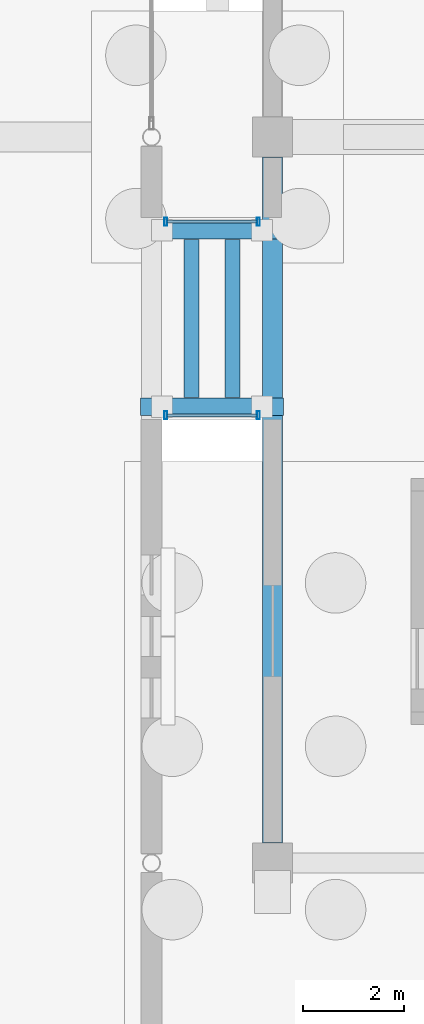
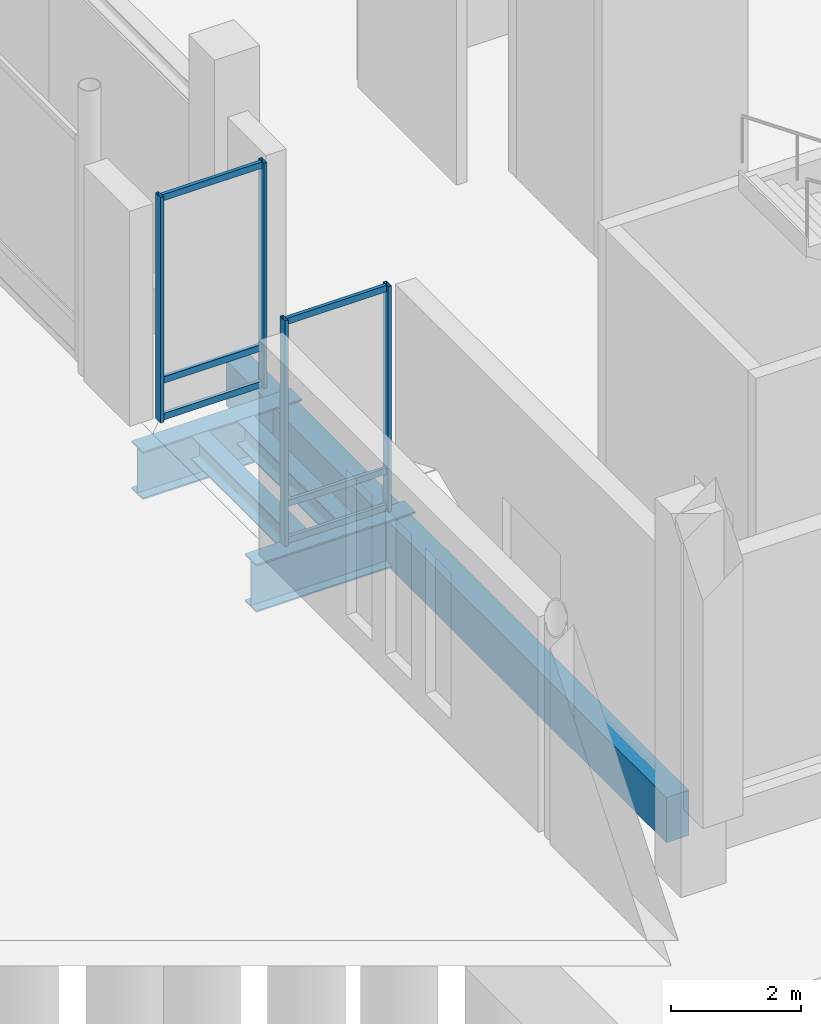
# One storey, part 67 of 192: 10 members, 5 beams, 2 elements without a shape of their own.
"""IFC4 building model written with IfcOpenShell, lengths in metres."""

from ifc_helpers import new_model, si_unit, direction, frame, origin, origin_2d, place, context, subcontext, project, spatial, rectangle, hollow_rectangle, i_section, extrude, material, material_profile, profile_set, type_object, element, aggregate, save


model = new_model("IFC4")

# Units and contexts
model_context = context("Model", 3, precision=1e-05, world=origin(), true_north=direction((0.0, 1.0)))
body_context = subcontext(model_context, "Body", "Model", "MODEL_VIEW")
ifc_project = project(units=[si_unit("LENGTHUNIT", "METRE"), si_unit("AREAUNIT", "SQUARE_METRE"), si_unit("VOLUMEUNIT", "CUBIC_METRE"), si_unit("PLANEANGLEUNIT", "RADIAN"), si_unit("MASSUNIT", "GRAM", prefix="KILO")], contexts=[model_context])

# Site, building, storey
site_placement = place(None, origin())
site = spatial("IfcSite", under=ifc_project, at=site_placement, CompositionType="ELEMENT")
building_placement = place(site_placement, origin())
building = spatial("IfcBuilding", under=site, at=building_placement, Name="Cendralis Lancet Convention Centre", CompositionType="ELEMENT")
storey_placement = place(building_placement, origin())
storey = spatial("IfcBuildingStorey", under=building, at=storey_placement, Name="L00", CompositionType="ELEMENT", Elevation=0.0)

# Curtain wall, members
ifc_material_1 = material(Name="Anodised bronze architectural aluminium", Category="aluminium")
curtain_wall_type = type_object("IfcCurtainWallType", Name="ARC-CW-BR01", PredefinedType="USERDEFINED", material=ifc_material_1)
curtain_wall_1_placement = place(storey_placement, origin())
curtain_wall_1 = element("IfcCurtainWall", 1, at=curtain_wall_1_placement, inside=storey, type_object=curtain_wall_type, Name="L00 Curtain Wall CW-BR1 #191", ObjectType="CURTAIN WALL", PredefinedType="USERDEFINED")
ifc_material_profile_1 = material_profile(ifc_material_1, hollow_rectangle(XDim=0.06005859375, YDim=0.159912109375, WallThickness=0.00390625, at=origin_2d()), Name="AL-MULL 60x160x4.0")
ifc_profile_set_1 = profile_set([ifc_material_profile_1], Name="Anodised bronze architectural aluminium")
member_type_1 = type_object("IfcMemberType", Name="ARC-CW-ML01", PredefinedType="MULLION", material=ifc_profile_set_1)
member_1_placement = place(storey_placement, frame((122.679931640625, 102.47998046875, 0.0), z_axis=(0.0, 0.0, 1.0), x_axis=(1.0, 0.0, 0.0)))
member_1 = element("IfcMember", 2, at=member_1_placement, type_object=member_type_1, Name="Mullion CW2-CW-BR1-L00-191-M0", PredefinedType="MULLION", context=body_context, shape_type="SweptSolid", body=[
    extrude(hollow_rectangle(XDim=0.06005859375, YDim=0.159912109375, WallThickness=0.00390625, at=origin_2d()), origin(), (0.0, 0.0, 1.0), 4.25),
])
member_2_placement = place(storey_placement, frame((124.52001953125, 102.47998046875, 0.0), z_axis=(0.0, 0.0, 1.0), x_axis=(1.0, 0.0, 0.0)))
member_2 = element("IfcMember", 3, at=member_2_placement, type_object=member_type_1, Name="Mullion CW2-CW-BR1-L00-191-M1", PredefinedType="MULLION", context=body_context, shape_type="SweptSolid", body=[
    extrude(hollow_rectangle(XDim=0.06005859375, YDim=0.159912109375, WallThickness=0.00390625, at=origin_2d()), origin(), (0.0, 0.0, 1.0), 4.25),
])

curtain_wall_2_placement = place(storey_placement, origin())
curtain_wall_2 = element("IfcCurtainWall", 4, at=curtain_wall_2_placement, inside=storey, type_object=curtain_wall_type, Name="L00 Curtain Wall CW-BR1 #192", ObjectType="CURTAIN WALL", PredefinedType="USERDEFINED")
member_3_placement = place(storey_placement, frame((122.679931640625, 106.320068359375, 0.0), z_axis=(0.0, 0.0, 1.0), x_axis=(1.0, 0.0, 0.0)))
member_3 = element("IfcMember", 5, at=member_3_placement, type_object=member_type_1, Name="Mullion CW2-CW-BR1-L00-192-M0", PredefinedType="MULLION", context=body_context, shape_type="SweptSolid", body=[
    extrude(hollow_rectangle(XDim=0.06005859375, YDim=0.159912109375, WallThickness=0.00390625, at=origin_2d()), origin(), (0.0, 0.0, 1.0), 4.25),
])
member_4_placement = place(storey_placement, frame((124.52001953125, 106.320068359375, 0.0), z_axis=(0.0, 0.0, 1.0), x_axis=(1.0, 0.0, 0.0)))
member_4 = element("IfcMember", 6, at=member_4_placement, type_object=member_type_1, Name="Mullion CW2-CW-BR1-L00-192-M1", PredefinedType="MULLION", context=body_context, shape_type="SweptSolid", body=[
    extrude(hollow_rectangle(XDim=0.06005859375, YDim=0.159912109375, WallThickness=0.00390625, at=origin_2d()), origin(), (0.0, 0.0, 1.0), 4.25),
])

# Member
ifc_material_profile_2 = material_profile(ifc_material_1, hollow_rectangle(XDim=0.06005859375, YDim=0.1201171875, WallThickness=0.00390625, at=origin_2d()), Name="AL-TRAN 60x120x4.0")
ifc_profile_set_2 = profile_set([ifc_material_profile_2], Name="Anodised bronze architectural aluminium")
member_type_2 = type_object("IfcMemberType", Name="ARC-CW-TR01", PredefinedType="USERDEFINED", material=ifc_profile_set_2)
member_5_placement = place(storey_placement, frame((122.7099609375, 102.47998046875, 0.06005859375), z_axis=(1.0, 0.0, 0.0), x_axis=(0.0, 1.0, 0.0)))
member_5 = element("IfcMember", 7, at=member_5_placement, type_object=member_type_2, Name="Transom CW2-CW-BR1-L00-191-T0BOT", ObjectType="TRANSOM", PredefinedType="USERDEFINED", context=body_context, shape_type="SweptSolid", body=[
    extrude(hollow_rectangle(XDim=0.06005859375, YDim=0.1201171875, WallThickness=0.00390625, at=origin_2d()), origin(), (0.0, 0.0, 1.0), 1.780029296875),
])

member_6_placement = place(storey_placement, frame((122.7099609375, 102.47998046875, 0.75), z_axis=(1.0, 0.0, 0.0), x_axis=(0.0, 1.0, 0.0)))
member_6 = element("IfcMember", 8, at=member_6_placement, type_object=member_type_2, Name="Transom CW2-CW-BR1-L00-191-T0MID", ObjectType="TRANSOM", PredefinedType="USERDEFINED", context=body_context, shape_type="SweptSolid", body=[
    extrude(hollow_rectangle(XDim=0.06005859375, YDim=0.1201171875, WallThickness=0.00390625, at=origin_2d()), origin(), (0.0, 0.0, 1.0), 1.780029296875),
])

member_7_placement = place(storey_placement, frame((122.7099609375, 102.47998046875, 4.18994140625), z_axis=(1.0, 0.0, 0.0), x_axis=(0.0, 1.0, 0.0)))
member_7 = element("IfcMember", 9, at=member_7_placement, type_object=member_type_2, Name="Transom CW2-CW-BR1-L00-191-T0TOP", ObjectType="TRANSOM", PredefinedType="USERDEFINED", context=body_context, shape_type="SweptSolid", body=[
    extrude(hollow_rectangle(XDim=0.06005859375, YDim=0.1201171875, WallThickness=0.00390625, at=origin_2d()), origin(), (0.0, 0.0, 1.0), 1.780029296875),
])

aggregate(curtain_wall_1, [member_1, member_2, member_5, member_6, member_7])

member_8_placement = place(storey_placement, frame((122.7099609375, 106.320068359375, 0.06005859375), z_axis=(1.0, 0.0, 0.0), x_axis=(0.0, 1.0, 0.0)))
member_8 = element("IfcMember", 10, at=member_8_placement, type_object=member_type_2, Name="Transom CW2-CW-BR1-L00-192-T0BOT", ObjectType="TRANSOM", PredefinedType="USERDEFINED", context=body_context, shape_type="SweptSolid", body=[
    extrude(hollow_rectangle(XDim=0.06005859375, YDim=0.1201171875, WallThickness=0.00390625, at=origin_2d()), origin(), (0.0, 0.0, 1.0), 1.780029296875),
])

member_9_placement = place(storey_placement, frame((122.7099609375, 106.320068359375, 0.75), z_axis=(1.0, 0.0, 0.0), x_axis=(0.0, 1.0, 0.0)))
member_9 = element("IfcMember", 11, at=member_9_placement, type_object=member_type_2, Name="Transom CW2-CW-BR1-L00-192-T0MID", ObjectType="TRANSOM", PredefinedType="USERDEFINED", context=body_context, shape_type="SweptSolid", body=[
    extrude(hollow_rectangle(XDim=0.06005859375, YDim=0.1201171875, WallThickness=0.00390625, at=origin_2d()), origin(), (0.0, 0.0, 1.0), 1.780029296875),
])

member_10_placement = place(storey_placement, frame((122.7099609375, 106.320068359375, 4.18994140625), z_axis=(1.0, 0.0, 0.0), x_axis=(0.0, 1.0, 0.0)))
member_10 = element("IfcMember", 12, at=member_10_placement, type_object=member_type_2, Name="Transom CW2-CW-BR1-L00-192-T0TOP", ObjectType="TRANSOM", PredefinedType="USERDEFINED", context=body_context, shape_type="SweptSolid", body=[
    extrude(hollow_rectangle(XDim=0.06005859375, YDim=0.1201171875, WallThickness=0.00390625, at=origin_2d()), origin(), (0.0, 0.0, 1.0), 1.780029296875),
])

aggregate(curtain_wall_2, [member_3, member_4, member_8, member_9, member_10])

# Beams
ifc_material_2 = material(Name="Steel S355", Category="steel")
ifc_material_profile_3 = material_profile(ifc_material_2, i_section(OverallWidth=0.35009765625, OverallDepth=0.89990234375, WebThickness=0.01611328125, FlangeThickness=0.028076171875, at=origin_2d()), Name="PG 900x350")
ifc_profile_set_3 = profile_set([ifc_material_profile_3], Name="Steel S355")
beam_type_1 = type_object("IfcBeamType", Name="STR-BM-SG05", PredefinedType="BEAM", material=ifc_profile_set_3)
for number, where, z_axis, x_axis, name in (
    (13, (122.179931640625, 102.64990234375, -0.669921875), (1.0, 0.0, 0.0), (0.0, 1.0, 0.0), "L00 Beam SG05 #1872"),
    (14, (122.179931640625, 106.14990234375, -0.669921875), (1.0, 0.0, 0.0), (0.0, 1.0, 0.0), "L00 Beam SG05 #1873"),
):
    element("IfcBeam", number, at=place(storey_placement, frame(where, z_axis=z_axis, x_axis=x_axis)), inside=storey, type_object=beam_type_1, Name=name, PredefinedType="BEAM", context=body_context, shape_type="SweptSolid", body=[
        extrude(i_section(OverallWidth=0.35009765625, OverallDepth=0.89990234375, WebThickness=0.01611328125, FlangeThickness=0.028076171875, at=origin_2d()), origin(), (0.0, 0.0, 1.0), 2.840087890625),
    ])
ifc_material_profile_4 = material_profile(ifc_material_2, i_section(OverallWidth=0.300048828125, OverallDepth=0.43994140625, WebThickness=0.011474609375, FlangeThickness=0.02099609375, FilletRadius=0.027099609375, at=origin_2d()), Name="HEA 450")
ifc_profile_set_4 = profile_set([ifc_material_profile_4], Name="Steel S355")
beam_type_2 = type_object("IfcBeamType", Name="STR-BM-SG13", PredefinedType="BEAM", material=ifc_profile_set_4)
for number, where, z_axis, x_axis, name in (
    (15, (123.19189453125, 102.830078125, -0.43994140625), (0.0, 1.0, 0.0), (-1.0, 0.0, 0.0), "L00 Beam SG13 #1874"),
    (16, (124.008056640625, 102.830078125, -0.43994140625), (0.0, 1.0, 0.0), (-1.0, 0.0, 0.0), "L00 Beam SG13 #1875"),
):
    element("IfcBeam", number, at=place(storey_placement, frame(where, z_axis=z_axis, x_axis=x_axis)), inside=storey, type_object=beam_type_2, Name=name, PredefinedType="BEAM", context=body_context, shape_type="SweptSolid", body=[
        extrude(i_section(OverallWidth=0.300048828125, OverallDepth=0.43994140625, WebThickness=0.011474609375, FlangeThickness=0.02099609375, FilletRadius=0.027099609375, at=origin_2d()), origin(), (0.0, 0.0, 1.0), 3.139892578125),
    ])
ifc_material_3 = material(Name="Concrete G40 (C40/50)", Category="concrete")
ifc_material_profile_5 = material_profile(ifc_material_3, rectangle(XDim=0.39990234375, YDim=0.85009765625, at=origin_2d()), Name="RCB 400x850")
ifc_profile_set_5 = profile_set([ifc_material_profile_5], Name="Concrete G40 (C40/50)")
beam_type_3 = type_object("IfcBeamType", Name="STR-SP-SP02", PredefinedType="SPANDREL", material=ifc_profile_set_5)
beam_placement = place(storey_placement, frame((124.800048828125, 94.0, -0.7451171875), z_axis=(0.0, 1.0, 0.0), x_axis=(-1.0, 0.0, 0.0)))
element("IfcBeam", 17, at=beam_placement, inside=storey, type_object=beam_type_3, Name="L00 Beam SP02 #1605", PredefinedType="SPANDREL", context=body_context, shape_type="SweptSolid", body=[
    extrude(rectangle(XDim=0.39990234375, YDim=0.85009765625, at=origin_2d()), origin(), (0.0, 0.0, 1.0), 13.60009765625),
])

save(model, "model.ifc")
